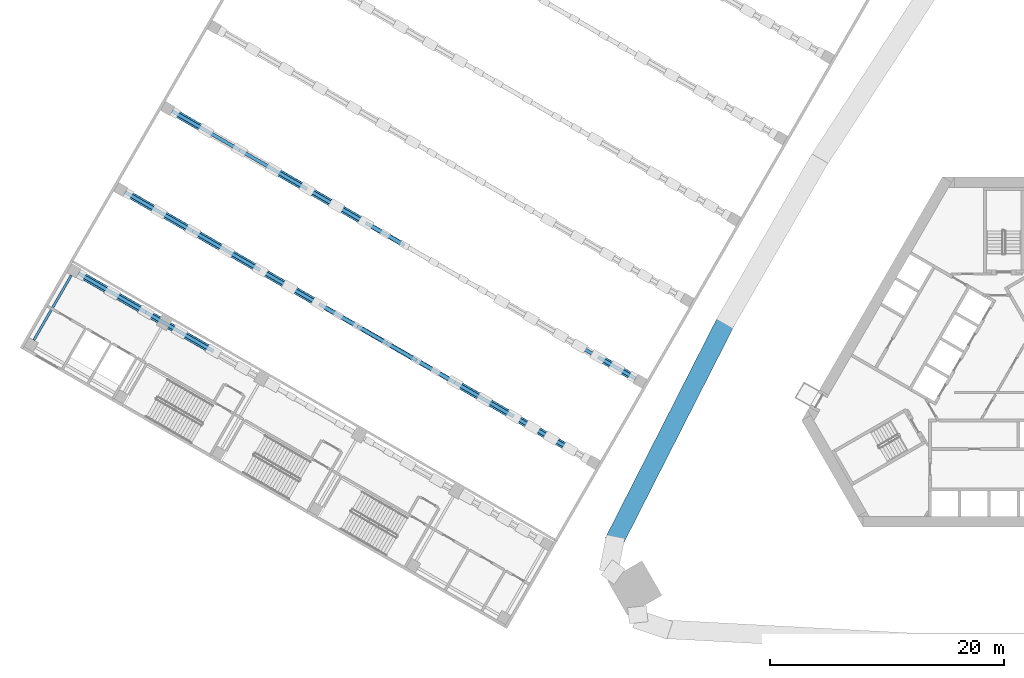
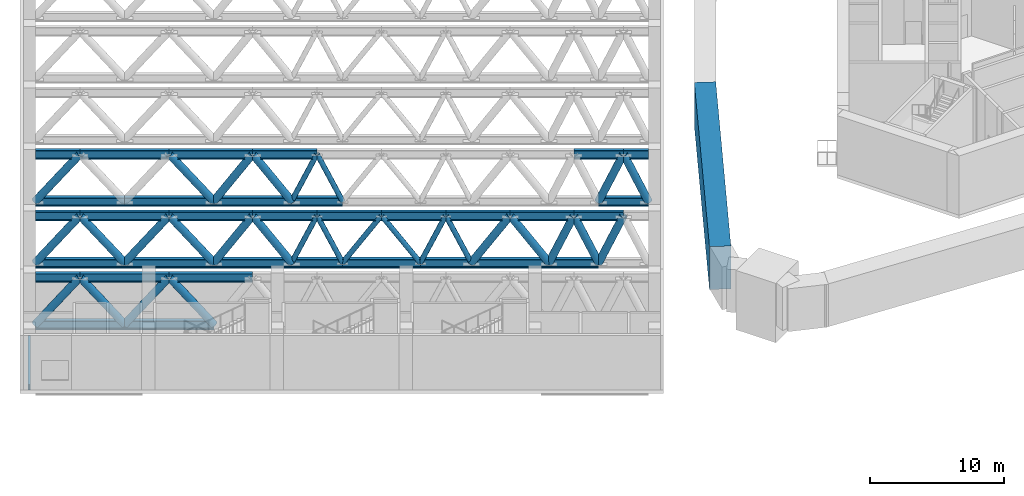
# One storey, part 2 of 37: 62 members, 2 beams.
"""IFC4 building model written with IfcOpenShell, lengths in metres."""

from ifc_helpers import new_model, si_unit, direction, frame, origin, origin_2d, place, context, subcontext, project, spatial, rectangle, hollow_circle, i_section, extrude, material, material_profile, profile_set, type_object, element, save


model = new_model("IFC4")

# Units and contexts
model_context = context("Model", 3, precision=1e-05, world=origin(), true_north=direction((0.0, 1.0)))
body_context = subcontext(model_context, "Body", "Model", "MODEL_VIEW")
ifc_project = project(units=[si_unit("LENGTHUNIT", "METRE"), si_unit("AREAUNIT", "SQUARE_METRE"), si_unit("VOLUMEUNIT", "CUBIC_METRE"), si_unit("PLANEANGLEUNIT", "RADIAN"), si_unit("MASSUNIT", "GRAM", prefix="KILO")], contexts=[model_context])

# Site, building, storey
site_placement = place(None, origin())
site = spatial("IfcSite", under=ifc_project, at=site_placement, CompositionType="ELEMENT")
building_placement = place(site_placement, origin())
building = spatial("IfcBuilding", under=site, at=building_placement, Name="Mestral Congress Tower", CompositionType="ELEMENT")
storey_placement = place(building_placement, frame((0.0, 0.0, 16.199951171875)))
storey = spatial("IfcBuildingStorey", under=building, at=storey_placement, Name="L03", CompositionType="ELEMENT", Elevation=16.199951171875)

# Beams
ifc_material_1 = material(Name="Steel S355", Category="steel")
ifc_material_profile_1 = material_profile(ifc_material_1, i_section(OverallWidth=0.199951171875, OverallDepth=0.5, WebThickness=0.01025390625, FlangeThickness=0.01611328125, FilletRadius=0.02099609375, at=origin_2d()), Name="IPE 500")
ifc_profile_set_1 = profile_set([ifc_material_profile_1], Name="Steel S355")
beam_type_1 = type_object("IfcBeamType", Name="Floor beam IPE 500 S355", PredefinedType="BEAM", material=ifc_profile_set_1)
beam_1_placement = place(storey_placement, frame((-79.642333984375, 8.511474609375, -0.550048828125), z_axis=(-0.499999833739, -0.866025499775, 0.0), x_axis=(0.866025499775, -0.499999833739, 0.0)))
element("IfcBeam", 1, at=beam_1_placement, inside=storey, type_object=beam_type_1, Name="BM-L03-W-U10F", PredefinedType="BEAM", context=body_context, shape_type="SweptSolid", body=[
    extrude(i_section(OverallWidth=0.199951171875, OverallDepth=0.5, WebThickness=0.01025390625, FlangeThickness=0.01611328125, FilletRadius=0.02099609375, at=origin_2d()), origin(), (0.0, 0.0, 1.0), 6.39990234375),
])
ifc_material_2 = material(Name="Concrete C70/85", Category="concrete")
ifc_material_profile_2 = material_profile(ifc_material_2, rectangle(XDim=1.60009765625, YDim=3.89990234375, at=origin_2d()), Name="RC 1600x3900")
ifc_profile_set_2 = profile_set([ifc_material_profile_2], Name="Concrete C70/85")
beam_type_2 = type_object("IfcBeamType", Name="Transfer girder RC 1600x3900 C70/85", PredefinedType="BEAM", material=ifc_profile_set_2)
beam_2_placement = place(storey_placement, frame((-23.614501953125, 4.80078125, 3.449951171875), z_axis=(-0.453414467885, -0.891299792613, 0.0), x_axis=(0.891299792613, -0.453414467885, 0.0)))
element("IfcBeam", 2, at=beam_2_placement, inside=storey, type_object=beam_type_2, Name="BM-TG09", PredefinedType="BEAM", context=body_context, shape_type="SweptSolid", body=[
    extrude(rectangle(XDim=1.60009765625, YDim=3.89990234375, at=origin_2d()), origin(), (0.0, 0.0, 1.0), 21.39697265625),
])

# Members
ifc_material_profile_3 = material_profile(ifc_material_1, i_section(OverallWidth=0.300048828125, OverallDepth=0.800048828125, WebThickness=0.017578125, FlangeThickness=0.032958984375, FilletRadius=0.030029296875, at=origin_2d()), Name="HEB 800")
ifc_profile_set_3 = profile_set([ifc_material_profile_3], Name="Steel S355")
member_type_1 = type_object("IfcMemberType", Name="Truss chord HEB 800 S355", PredefinedType="CHORD", material=ifc_profile_set_3)
member_1_placement = place(storey_placement, frame((-31.4501953125, -0.3173828125, 0.400146484375), z_axis=(-0.86601746898, 0.500013743233, 0.0), x_axis=(-0.500013743233, -0.86601746898, 0.0)))
element("IfcMember", 3, at=member_1_placement, inside=storey, type_object=member_type_1, Name="MB-W-T7-BC01", PredefinedType="CHORD", context=body_context, shape_type="SweptSolid", body=[
    extrude(i_section(OverallWidth=0.300048828125, OverallDepth=0.800048828125, WebThickness=0.017578125, FlangeThickness=0.032958984375, FilletRadius=0.030029296875, at=origin_2d()), origin(), (0.0, 0.0, 1.0), 3.7001953125),
])
member_2_placement = place(storey_placement, frame((-51.195556640625, 11.08251953125, 0.400146484375), z_axis=(-0.86601654697, 0.500015340139, 0.0), x_axis=(-0.500015340139, -0.86601654697, 0.0)))
element("IfcMember", 4, at=member_2_placement, inside=storey, type_object=member_type_1, Name="MB-W-T7-BC06", PredefinedType="CHORD", context=body_context, shape_type="SweptSolid", body=[
    extrude(i_section(OverallWidth=0.300048828125, OverallDepth=0.800048828125, WebThickness=0.017578125, FlangeThickness=0.032958984375, FilletRadius=0.030029296875, at=origin_2d()), origin(), (0.0, 0.0, 1.0), 3.80029296875),
])
member_3_placement = place(storey_placement, frame((-54.486572265625, 12.982666015625, 0.400146484375), z_axis=(-0.866032775405, 0.499987231761, 0.0), x_axis=(-0.499987231761, -0.866032775405, 0.0)))
element("IfcMember", 5, at=member_3_placement, inside=storey, type_object=member_type_1, Name="MB-W-T7-BC07", PredefinedType="CHORD", context=body_context, shape_type="SweptSolid", body=[
    extrude(i_section(OverallWidth=0.300048828125, OverallDepth=0.800048828125, WebThickness=0.017578125, FlangeThickness=0.032958984375, FilletRadius=0.030029296875, at=origin_2d()), origin(), (0.0, 0.0, 1.0), 5.800048828125),
])
member_4_placement = place(storey_placement, frame((-59.509521484375, 15.882568359375, 0.400146484375), z_axis=(-0.866027239912, 0.49999681972, 0.0), x_axis=(-0.49999681972, -0.866027239912, 0.0)))
element("IfcMember", 6, at=member_4_placement, inside=storey, type_object=member_type_1, Name="MB-W-T7-BC08", PredefinedType="CHORD", context=body_context, shape_type="SweptSolid", body=[
    extrude(i_section(OverallWidth=0.300048828125, OverallDepth=0.800048828125, WebThickness=0.017578125, FlangeThickness=0.032958984375, FilletRadius=0.030029296875, at=origin_2d()), origin(), (0.0, 0.0, 1.0), 6.64990234375),
])
member_5_placement = place(storey_placement, frame((-65.2685546875, 19.20751953125, 0.400146484375), z_axis=(-0.86601134256, 0.500024353964, 0.0), x_axis=(-0.500024353964, -0.86601134256, 0.0)))
element("IfcMember", 7, at=member_5_placement, inside=storey, type_object=member_type_1, Name="MB-W-T7-BC09", PredefinedType="CHORD", context=body_context, shape_type="SweptSolid", body=[
    extrude(i_section(OverallWidth=0.300048828125, OverallDepth=0.800048828125, WebThickness=0.017578125, FlangeThickness=0.032958984375, FilletRadius=0.030029296875, at=origin_2d()), origin(), (0.0, 0.0, 1.0), 6.650146484375),
])
member_6_placement = place(storey_placement, frame((-31.4501953125, -0.3173828125, 4.699951171875), z_axis=(-0.866033964044, 0.499985172903, 0.0), x_axis=(-0.499985172903, -0.866033964044, 0.0)))
element("IfcMember", 8, at=member_6_placement, inside=storey, type_object=member_type_1, Name="MB-W-T7-TC01", PredefinedType="CHORD", context=body_context, shape_type="SweptSolid", body=[
    extrude(i_section(OverallWidth=0.300048828125, OverallDepth=0.800048828125, WebThickness=0.017578125, FlangeThickness=0.032958984375, FilletRadius=0.030029296875, at=origin_2d()), origin(), (0.0, 0.0, 1.0), 1.85009765625),
])
member_7_placement = place(storey_placement, frame((-33.052490234375, 0.607666015625, 4.699951171875), z_axis=(-0.866029545028, 0.499992827086, 0.0), x_axis=(-0.499992827086, -0.866029545028, 0.0)))
element("IfcMember", 9, at=member_7_placement, inside=storey, type_object=member_type_1, Name="MB-W-T7-TC02", PredefinedType="CHORD", context=body_context, shape_type="SweptSolid", body=[
    extrude(i_section(OverallWidth=0.300048828125, OverallDepth=0.800048828125, WebThickness=0.017578125, FlangeThickness=0.032958984375, FilletRadius=0.030029296875, at=origin_2d()), origin(), (0.0, 0.0, 1.0), 3.69970703125),
])
member_8_placement = place(storey_placement, frame((-52.841064453125, 12.03271484375, 4.699951171875), z_axis=(-0.866037363387, 0.499979284789, 0.0), x_axis=(-0.499979284789, -0.866037363387, 0.0)))
element("IfcMember", 10, at=member_8_placement, inside=storey, type_object=member_type_1, Name="MB-W-T7-TC07", PredefinedType="CHORD", context=body_context, shape_type="SweptSolid", body=[
    extrude(i_section(OverallWidth=0.300048828125, OverallDepth=0.800048828125, WebThickness=0.017578125, FlangeThickness=0.032958984375, FilletRadius=0.030029296875, at=origin_2d()), origin(), (0.0, 0.0, 1.0), 4.800048828125),
])
member_9_placement = place(storey_placement, frame((-56.998046875, 14.4326171875, 4.699951171875), z_axis=(-0.866016424762, 0.5000155518, 0.0), x_axis=(-0.5000155518, -0.866016424762, 0.0)))
element("IfcMember", 11, at=member_9_placement, inside=storey, type_object=member_type_1, Name="MB-W-T7-TC08", PredefinedType="CHORD", context=body_context, shape_type="SweptSolid", body=[
    extrude(i_section(OverallWidth=0.300048828125, OverallDepth=0.800048828125, WebThickness=0.017578125, FlangeThickness=0.032958984375, FilletRadius=0.030029296875, at=origin_2d()), origin(), (0.0, 0.0, 1.0), 6.224853515625),
])
member_10_placement = place(storey_placement, frame((-62.388916015625, 17.545166015625, 4.699951171875), z_axis=(-0.866036417653, 0.499980922934, 0.0), x_axis=(-0.499980922934, -0.866036417653, 0.0)))
element("IfcMember", 12, at=member_10_placement, inside=storey, type_object=member_type_1, Name="MB-W-T7-TC09", PredefinedType="CHORD", context=body_context, shape_type="SweptSolid", body=[
    extrude(i_section(OverallWidth=0.300048828125, OverallDepth=0.800048828125, WebThickness=0.017578125, FlangeThickness=0.032958984375, FilletRadius=0.030029296875, at=origin_2d()), origin(), (0.0, 0.0, 1.0), 6.650146484375),
])
member_11_placement = place(storey_placement, frame((-68.148193359375, 20.8701171875, 4.699951171875), z_axis=(-0.866002163101, 0.500040251884, 0.0), x_axis=(-0.500040251884, -0.866002163101, 0.0)))
element("IfcMember", 13, at=member_11_placement, inside=storey, type_object=member_type_1, Name="MB-W-T7-TC10", PredefinedType="CHORD", context=body_context, shape_type="SweptSolid", body=[
    extrude(i_section(OverallWidth=0.300048828125, OverallDepth=0.800048828125, WebThickness=0.017578125, FlangeThickness=0.032958984375, FilletRadius=0.030029296875, at=origin_2d()), origin(), (0.0, 0.0, 1.0), 3.324951171875),
])
member_12_placement = place(storey_placement, frame((-38.654541015625, -5.3955078125, 0.400146484375), z_axis=(-0.866046040199, 0.499964254978, 0.0), x_axis=(-0.499964254978, -0.866046040199, 0.0)))
element("IfcMember", 14, at=member_12_placement, inside=storey, type_object=member_type_1, Name="MB-W-T8-BC02", PredefinedType="CHORD", context=body_context, shape_type="SweptSolid", body=[
    extrude(i_section(OverallWidth=0.300048828125, OverallDepth=0.800048828125, WebThickness=0.017578125, FlangeThickness=0.032958984375, FilletRadius=0.030029296875, at=origin_2d()), origin(), (0.0, 0.0, 1.0), 3.699951171875),
])
member_13_placement = place(storey_placement, frame((-41.85888671875, -3.545654296875, 0.400146484375), z_axis=(-0.86601454848, 0.500018801468, 0.0), x_axis=(-0.500018801468, -0.86601454848, 0.0)))
element("IfcMember", 15, at=member_13_placement, inside=storey, type_object=member_type_1, Name="MB-W-T8-BC03", PredefinedType="CHORD", context=body_context, shape_type="SweptSolid", body=[
    extrude(i_section(OverallWidth=0.300048828125, OverallDepth=0.800048828125, WebThickness=0.017578125, FlangeThickness=0.032958984375, FilletRadius=0.030029296875, at=origin_2d()), origin(), (0.0, 0.0, 1.0), 5.800048828125),
])
member_14_placement = place(storey_placement, frame((-46.8818359375, -0.6455078125, 0.400146484375), z_axis=(-0.866028304915, 0.499994975061, 0.0), x_axis=(-0.499994975061, -0.866028304915, 0.0)))
element("IfcMember", 16, at=member_14_placement, inside=storey, type_object=member_type_1, Name="MB-W-T8-BC04", PredefinedType="CHORD", context=body_context, shape_type="SweptSolid", body=[
    extrude(i_section(OverallWidth=0.300048828125, OverallDepth=0.800048828125, WebThickness=0.017578125, FlangeThickness=0.032958984375, FilletRadius=0.030029296875, at=origin_2d()), origin(), (0.0, 0.0, 1.0), 3.7998046875),
])
member_15_placement = place(storey_placement, frame((-50.172607421875, 1.25439453125, 0.400146484375), z_axis=(-0.866032775405, 0.499987231761, 0.0), x_axis=(-0.499987231761, -0.866032775405, 0.0)))
element("IfcMember", 17, at=member_15_placement, inside=storey, type_object=member_type_1, Name="MB-W-T8-BC05", PredefinedType="CHORD", context=body_context, shape_type="SweptSolid", body=[
    extrude(i_section(OverallWidth=0.300048828125, OverallDepth=0.800048828125, WebThickness=0.017578125, FlangeThickness=0.032958984375, FilletRadius=0.030029296875, at=origin_2d()), origin(), (0.0, 0.0, 1.0), 5.800048828125),
])
member_16_placement = place(storey_placement, frame((-55.195556640625, 4.154296875, 0.400146484375), z_axis=(-0.86601654697, 0.500015340139, 0.0), x_axis=(-0.500015340139, -0.86601654697, 0.0)))
element("IfcMember", 18, at=member_16_placement, inside=storey, type_object=member_type_1, Name="MB-W-T8-BC06", PredefinedType="CHORD", context=body_context, shape_type="SweptSolid", body=[
    extrude(i_section(OverallWidth=0.300048828125, OverallDepth=0.800048828125, WebThickness=0.017578125, FlangeThickness=0.032958984375, FilletRadius=0.030029296875, at=origin_2d()), origin(), (0.0, 0.0, 1.0), 3.80029296875),
])
member_17_placement = place(storey_placement, frame((-58.486572265625, 6.054443359375, 0.400146484375), z_axis=(-0.866032775405, 0.499987231761, 0.0), x_axis=(-0.499987231761, -0.866032775405, 0.0)))
element("IfcMember", 19, at=member_17_placement, inside=storey, type_object=member_type_1, Name="MB-W-T8-BC07", PredefinedType="CHORD", context=body_context, shape_type="SweptSolid", body=[
    extrude(i_section(OverallWidth=0.300048828125, OverallDepth=0.800048828125, WebThickness=0.017578125, FlangeThickness=0.032958984375, FilletRadius=0.030029296875, at=origin_2d()), origin(), (0.0, 0.0, 1.0), 5.800048828125),
])
member_18_placement = place(storey_placement, frame((-63.509521484375, 8.954345703125, 0.400146484375), z_axis=(-0.866027239912, 0.49999681972, 0.0), x_axis=(-0.49999681972, -0.866027239912, 0.0)))
element("IfcMember", 20, at=member_18_placement, inside=storey, type_object=member_type_1, Name="MB-W-T8-BC08", PredefinedType="CHORD", context=body_context, shape_type="SweptSolid", body=[
    extrude(i_section(OverallWidth=0.300048828125, OverallDepth=0.800048828125, WebThickness=0.017578125, FlangeThickness=0.032958984375, FilletRadius=0.030029296875, at=origin_2d()), origin(), (0.0, 0.0, 1.0), 6.64990234375),
])
member_19_placement = place(storey_placement, frame((-69.2685546875, 12.279296875, 0.400146484375), z_axis=(-0.86601134256, 0.500024353964, 0.0), x_axis=(-0.500024353964, -0.86601134256, 0.0)))
element("IfcMember", 21, at=member_19_placement, inside=storey, type_object=member_type_1, Name="MB-W-T8-BC09", PredefinedType="CHORD", context=body_context, shape_type="SweptSolid", body=[
    extrude(i_section(OverallWidth=0.300048828125, OverallDepth=0.800048828125, WebThickness=0.017578125, FlangeThickness=0.032958984375, FilletRadius=0.030029296875, at=origin_2d()), origin(), (0.0, 0.0, 1.0), 6.650146484375),
])
member_20_placement = place(storey_placement, frame((-37.052490234375, -6.320556640625, 4.699951171875), z_axis=(-0.866029545028, 0.499992827086, 0.0), x_axis=(-0.499992827086, -0.866029545028, 0.0)))
element("IfcMember", 22, at=member_20_placement, inside=storey, type_object=member_type_1, Name="MB-W-T8-TC02", PredefinedType="CHORD", context=body_context, shape_type="SweptSolid", body=[
    extrude(i_section(OverallWidth=0.300048828125, OverallDepth=0.800048828125, WebThickness=0.017578125, FlangeThickness=0.032958984375, FilletRadius=0.030029296875, at=origin_2d()), origin(), (0.0, 0.0, 1.0), 3.69970703125),
])
member_21_placement = place(storey_placement, frame((-40.256591796875, -4.470703125, 4.699951171875), z_axis=(-0.866033238375, 0.499986429846, 0.0), x_axis=(-0.499986429846, -0.866033238375, 0.0)))
element("IfcMember", 23, at=member_21_placement, inside=storey, type_object=member_type_1, Name="MB-W-T8-TC03", PredefinedType="CHORD", context=body_context, shape_type="SweptSolid", body=[
    extrude(i_section(OverallWidth=0.300048828125, OverallDepth=0.800048828125, WebThickness=0.017578125, FlangeThickness=0.032958984375, FilletRadius=0.030029296875, at=origin_2d()), origin(), (0.0, 0.0, 1.0), 4.750244140625),
])
member_22_placement = place(storey_placement, frame((-44.370361328125, -2.095703125, 4.699951171875), z_axis=(-0.866002622515, 0.50003945624, 0.0), x_axis=(-0.50003945624, -0.866002622515, 0.0)))
element("IfcMember", 24, at=member_22_placement, inside=storey, type_object=member_type_1, Name="MB-W-T8-TC04", PredefinedType="CHORD", context=body_context, shape_type="SweptSolid", body=[
    extrude(i_section(OverallWidth=0.300048828125, OverallDepth=0.800048828125, WebThickness=0.017578125, FlangeThickness=0.032958984375, FilletRadius=0.030029296875, at=origin_2d()), origin(), (0.0, 0.0, 1.0), 4.7998046875),
])
for number, where, z_axis, x_axis, name in (
    (25, (-48.527099609375, 0.304443359375, 4.699951171875), (-0.866037363387, 0.499979284789, 0.0), (-0.499979284789, -0.866037363387, 0.0), "MB-W-T8-TC05"),
    (26, (-52.68408203125, 2.704345703125, 4.699951171875), (-0.866015339567, 0.500017431331, 0.0), (-0.500017431331, -0.866015339567, 0.0), "MB-W-T8-TC06"),
    (27, (-56.841064453125, 5.1044921875, 4.699951171875), (-0.866037363387, 0.499979284789, 0.0), (-0.499979284789, -0.866037363387, 0.0), "MB-W-T8-TC07"),
):
    element("IfcMember", number, at=place(storey_placement, frame(where, z_axis=z_axis, x_axis=x_axis)), inside=storey, type_object=member_type_1, Name=name, PredefinedType="CHORD", context=body_context, shape_type="SweptSolid", body=[
        extrude(i_section(OverallWidth=0.300048828125, OverallDepth=0.800048828125, WebThickness=0.017578125, FlangeThickness=0.032958984375, FilletRadius=0.030029296875, at=origin_2d()), origin(), (0.0, 0.0, 1.0), 4.800048828125),
    ])
member_23_placement = place(storey_placement, frame((-60.998046875, 7.50439453125, 4.699951171875), z_axis=(-0.866016424762, 0.5000155518, 0.0), x_axis=(-0.5000155518, -0.866016424762, 0.0)))
element("IfcMember", 28, at=member_23_placement, inside=storey, type_object=member_type_1, Name="MB-W-T8-TC08", PredefinedType="CHORD", context=body_context, shape_type="SweptSolid", body=[
    extrude(i_section(OverallWidth=0.300048828125, OverallDepth=0.800048828125, WebThickness=0.017578125, FlangeThickness=0.032958984375, FilletRadius=0.030029296875, at=origin_2d()), origin(), (0.0, 0.0, 1.0), 6.224853515625),
])
member_24_placement = place(storey_placement, frame((-66.388916015625, 10.616943359375, 4.699951171875), z_axis=(-0.866036417653, 0.499980922934, 0.0), x_axis=(-0.499980922934, -0.866036417653, 0.0)))
element("IfcMember", 29, at=member_24_placement, inside=storey, type_object=member_type_1, Name="MB-W-T8-TC09", PredefinedType="CHORD", context=body_context, shape_type="SweptSolid", body=[
    extrude(i_section(OverallWidth=0.300048828125, OverallDepth=0.800048828125, WebThickness=0.017578125, FlangeThickness=0.032958984375, FilletRadius=0.030029296875, at=origin_2d()), origin(), (0.0, 0.0, 1.0), 6.650146484375),
])
member_25_placement = place(storey_placement, frame((-72.148193359375, 13.94189453125, 4.699951171875), z_axis=(-0.866002163101, 0.500040251884, 0.0), x_axis=(-0.500040251884, -0.866002163101, 0.0)))
element("IfcMember", 30, at=member_25_placement, inside=storey, type_object=member_type_1, Name="MB-W-T8-TC10", PredefinedType="CHORD", context=body_context, shape_type="SweptSolid", body=[
    extrude(i_section(OverallWidth=0.300048828125, OverallDepth=0.800048828125, WebThickness=0.017578125, FlangeThickness=0.032958984375, FilletRadius=0.030029296875, at=origin_2d()), origin(), (0.0, 0.0, 1.0), 3.324951171875),
])
member_26_placement = place(storey_placement, frame((-67.509521484375, 2.026123046875, 0.400146484375), z_axis=(-0.86601134256, 0.500024353964, 0.0), x_axis=(-0.500024353964, -0.86601134256, 0.0)))
element("IfcMember", 31, at=member_26_placement, inside=storey, type_object=member_type_1, Name="MB-W-T9-BC08", PredefinedType="CHORD", context=body_context, shape_type="SweptSolid", body=[
    extrude(i_section(OverallWidth=0.300048828125, OverallDepth=0.800048828125, WebThickness=0.017578125, FlangeThickness=0.032958984375, FilletRadius=0.030029296875, at=origin_2d()), origin(), (0.0, 0.0, 1.0), 6.650146484375),
])
member_27_placement = place(storey_placement, frame((-73.2685546875, 5.351318359375, 0.400146484375), z_axis=(-0.866027239912, 0.49999681972, 0.0), x_axis=(-0.49999681972, -0.866027239912, 0.0)))
element("IfcMember", 32, at=member_27_placement, inside=storey, type_object=member_type_1, Name="MB-W-T9-BC09", PredefinedType="CHORD", context=body_context, shape_type="SweptSolid", body=[
    extrude(i_section(OverallWidth=0.300048828125, OverallDepth=0.800048828125, WebThickness=0.017578125, FlangeThickness=0.032958984375, FilletRadius=0.030029296875, at=origin_2d()), origin(), (0.0, 0.0, 1.0), 6.64990234375),
])
member_28_placement = place(storey_placement, frame((-64.998046875, 0.576171875, 4.699951171875), z_axis=(-0.866016424762, 0.5000155518, 0.0), x_axis=(-0.5000155518, -0.866016424762, 0.0)))
element("IfcMember", 33, at=member_28_placement, inside=storey, type_object=member_type_1, Name="MB-W-T9-TC08", PredefinedType="CHORD", context=body_context, shape_type="SweptSolid", body=[
    extrude(i_section(OverallWidth=0.300048828125, OverallDepth=0.800048828125, WebThickness=0.017578125, FlangeThickness=0.032958984375, FilletRadius=0.030029296875, at=origin_2d()), origin(), (0.0, 0.0, 1.0), 6.224853515625),
])
member_29_placement = place(storey_placement, frame((-70.388916015625, 3.688720703125, 4.699951171875), z_axis=(-0.866036417653, 0.499980922934, 0.0), x_axis=(-0.499980922934, -0.866036417653, 0.0)))
element("IfcMember", 34, at=member_29_placement, inside=storey, type_object=member_type_1, Name="MB-W-T9-TC09", PredefinedType="CHORD", context=body_context, shape_type="SweptSolid", body=[
    extrude(i_section(OverallWidth=0.300048828125, OverallDepth=0.800048828125, WebThickness=0.017578125, FlangeThickness=0.032958984375, FilletRadius=0.030029296875, at=origin_2d()), origin(), (0.0, 0.0, 1.0), 6.650146484375),
])
member_30_placement = place(storey_placement, frame((-76.148193359375, 7.013671875, 4.699951171875), z_axis=(-0.866002163101, 0.500040251884, 0.0), x_axis=(-0.500040251884, -0.866002163101, 0.0)))
element("IfcMember", 35, at=member_30_placement, inside=storey, type_object=member_type_1, Name="MB-W-T9-TC10", PredefinedType="CHORD", context=body_context, shape_type="SweptSolid", body=[
    extrude(i_section(OverallWidth=0.300048828125, OverallDepth=0.800048828125, WebThickness=0.017578125, FlangeThickness=0.032958984375, FilletRadius=0.030029296875, at=origin_2d()), origin(), (0.0, 0.0, 1.0), 3.324951171875),
])
ifc_material_profile_4 = material_profile(ifc_material_1, hollow_circle(Radius=0.203125, WallThickness=0.01611328125, at=origin_2d()), Name="CHS 406.4x16")
ifc_profile_set_4 = profile_set([ifc_material_profile_4], Name="Steel S355")
member_type_2 = type_object("IfcMemberType", Name="Truss diagonal CHS 406.4x16 S355", PredefinedType="BRACE", material=ifc_profile_set_4)
for number, where, z_axis, x_axis, name in (
    (36, (-51.195556640625, 11.08251953125, 0.400146484375), (-0.35003763718, 0.202128558443, 0.914668081011), (-0.500063520245, -0.865988727248, 0.0), "MB-W-T7-D11"),
    (37, (-52.841064453125, 12.03271484375, 4.699951171875), (-0.350041311257, 0.202078745119, -0.914677681582), (-0.499967155389, -0.866044365799, 0.0), "MB-W-T7-D12"),
    (38, (-46.8818359375, -0.6455078125, 0.400146484375), (-0.349995738631, 0.20208241861, 0.914694309061), (-0.500022797313, -0.86601224135, 0.0), "MB-W-T8-D07"),
    (39, (-48.527099609375, 0.304443359375, 4.699951171875), (-0.350041311257, 0.202078745119, -0.914677681582), (-0.499967155389, -0.866044365799, 0.0), "MB-W-T8-D08"),
):
    element("IfcMember", number, at=place(storey_placement, frame(where, z_axis=z_axis, x_axis=x_axis)), inside=storey, type_object=member_type_2, Name=name, PredefinedType="BRACE", context=body_context, shape_type="SweptSolid", body=[
        extrude(hollow_circle(Radius=0.203125, WallThickness=0.01611328125, at=origin_2d()), origin(), (0.0, 0.0, 1.0), 4.700927734375),
    ])
for number, where, z_axis, x_axis, name in (
    (40, (-50.172607421875, 1.25439453125, 0.400146484375), (-0.484247420666, 0.279570859467, 0.829062464544), (-0.499987231761, -0.866032775405, 0.0), "MB-W-T8-D09"),
    (41, (-52.68408203125, 2.704345703125, 4.699951171875), (-0.484247420666, 0.279570859467, -0.829062464544), (-0.499987231761, -0.866032775405, 0.0), "MB-W-T8-D10"),
):
    element("IfcMember", number, at=place(storey_placement, frame(where, z_axis=z_axis, x_axis=x_axis)), inside=storey, type_object=member_type_2, Name=name, PredefinedType="BRACE", context=body_context, shape_type="SweptSolid", body=[
        extrude(hollow_circle(Radius=0.203125, WallThickness=0.01611328125, at=origin_2d()), origin(), (0.0, 0.0, 1.0), 5.186279296875),
    ])
for number, where, z_axis, x_axis, name in (
    (42, (-55.195556640625, 4.154296875, 0.400146484375), (-0.35003763718, 0.202128558443, 0.914668081011), (-0.500063520245, -0.865988727248, 0.0), "MB-W-T8-D11"),
    (43, (-56.841064453125, 5.1044921875, 4.699951171875), (-0.350041311257, 0.202078745119, -0.914677681582), (-0.499967155389, -0.866044365799, 0.0), "MB-W-T8-D12"),
):
    element("IfcMember", number, at=place(storey_placement, frame(where, z_axis=z_axis, x_axis=x_axis)), inside=storey, type_object=member_type_2, Name=name, PredefinedType="BRACE", context=body_context, shape_type="SweptSolid", body=[
        extrude(hollow_circle(Radius=0.203125, WallThickness=0.01611328125, at=origin_2d()), origin(), (0.0, 0.0, 1.0), 4.700927734375),
    ])
ifc_material_profile_5 = material_profile(ifc_material_1, hollow_circle(Radius=0.304931640625, WallThickness=0.02490234375, at=origin_2d()), Name="CHS 610x25")
ifc_profile_set_5 = profile_set([ifc_material_profile_5], Name="Steel S355")
member_type_3 = type_object("IfcMemberType", Name="Truss diagonal CHS 610x25 S355", PredefinedType="BRACE", material=ifc_profile_set_5)
for number, where, z_axis, x_axis, name in (
    (44, (-31.4501953125, -0.3173828125, 0.400146484375), (-0.342300508531, 0.197619476889, 0.918573298226), (-0.499985172903, -0.866033964044, 0.0), "MB-W-T7-D01"),
    (45, (-33.052490234375, 0.607666015625, 4.699951171875), (-0.342254462306, 0.197623004828, -0.91858969676), (-0.500042316284, -0.866000971088, 0.0), "MB-W-T7-D02"),
):
    element("IfcMember", number, at=place(storey_placement, frame(where, z_axis=z_axis, x_axis=x_axis)), inside=storey, type_object=member_type_3, Name=name, PredefinedType="BRACE", context=body_context, shape_type="SweptSolid", body=[
        extrude(hollow_circle(Radius=0.304931640625, WallThickness=0.02490234375, at=origin_2d()), origin(), (0.0, 0.0, 1.0), 4.680908203125),
    ])
for number, where, z_axis, x_axis, name in (
    (46, (-54.486572265625, 12.982666015625, 0.400146484375), (-0.484247420666, 0.279570859467, 0.829062464544), (-0.499987231761, -0.866032775405, 0.0), "MB-W-T7-D13"),
    (47, (-56.998046875, 14.4326171875, 4.699951171875), (-0.484247420666, 0.279570859467, -0.829062464544), (-0.499987231761, -0.866032775405, 0.0), "MB-W-T7-D14"),
):
    element("IfcMember", number, at=place(storey_placement, frame(where, z_axis=z_axis, x_axis=x_axis)), inside=storey, type_object=member_type_3, Name=name, PredefinedType="BRACE", context=body_context, shape_type="SweptSolid", body=[
        extrude(hollow_circle(Radius=0.304931640625, WallThickness=0.02490234375, at=origin_2d()), origin(), (0.0, 0.0, 1.0), 5.186279296875),
    ])
for number, where, z_axis, x_axis, name in (
    (48, (-59.509521484375, 15.882568359375, 0.400146484375), (-0.529749391364, 0.305883784567, 0.791075655477), (-0.500040251884, -0.866002163101, 0.0), "MB-W-T7-D15"),
    (49, (-68.148193359375, 20.8701171875, 4.699951171875), (-0.529749391364, 0.305883784567, -0.791075655477), (-0.500040251884, -0.866002163101, 0.0), "MB-W-T7-D18"),
):
    element("IfcMember", number, at=place(storey_placement, frame(where, z_axis=z_axis, x_axis=x_axis)), inside=storey, type_object=member_type_3, Name=name, PredefinedType="BRACE", context=body_context, shape_type="SweptSolid", body=[
        extrude(hollow_circle(Radius=0.304931640625, WallThickness=0.02490234375, at=origin_2d()), origin(), (0.0, 0.0, 1.0), 5.435302734375),
    ])
for number, where, z_axis, x_axis, name in (
    (50, (-37.052490234375, -6.320556640625, 4.699951171875), (-0.342254462306, 0.197623004828, -0.91858969676), (-0.500042316284, -0.866000971088, 0.0), "MB-W-T8-D02"),
    (51, (-38.654541015625, -5.3955078125, 0.400146484375), (-0.342257989659, 0.197572884003, 0.918599163956), (-0.49994333299, -0.866058118026, 0.0), "MB-W-T8-D03"),
    (52, (-40.256591796875, -4.470703125, 4.699951171875), (-0.342300508531, 0.197619476889, -0.918573298226), (-0.499985172903, -0.866033964044, 0.0), "MB-W-T8-D04"),
):
    element("IfcMember", number, at=place(storey_placement, frame(where, z_axis=z_axis, x_axis=x_axis)), inside=storey, type_object=member_type_3, Name=name, PredefinedType="BRACE", context=body_context, shape_type="SweptSolid", body=[
        extrude(hollow_circle(Radius=0.304931640625, WallThickness=0.02490234375, at=origin_2d()), origin(), (0.0, 0.0, 1.0), 4.680908203125),
    ])
member_31_placement = place(storey_placement, frame((-41.85888671875, -3.545654296875, 0.400146484375), z_axis=(-0.484247420666, 0.279570859467, 0.829062464544), x_axis=(-0.499987231761, -0.866032775405, 0.0)))
element("IfcMember", 53, at=member_31_placement, inside=storey, type_object=member_type_3, Name="MB-W-T8-D05", PredefinedType="BRACE", context=body_context, shape_type="SweptSolid", body=[
    extrude(hollow_circle(Radius=0.304931640625, WallThickness=0.02490234375, at=origin_2d()), origin(), (0.0, 0.0, 1.0), 5.186279296875),
])
member_32_placement = place(storey_placement, frame((-44.370361328125, -2.095703125, 4.699951171875), z_axis=(-0.484241047345, 0.27961425306, -0.829051553012), x_axis=(-0.50005036918, -0.865996321171, 0.0)))
element("IfcMember", 54, at=member_32_placement, inside=storey, type_object=member_type_3, Name="MB-W-T8-D06", PredefinedType="BRACE", context=body_context, shape_type="SweptSolid", body=[
    extrude(hollow_circle(Radius=0.304931640625, WallThickness=0.02490234375, at=origin_2d()), origin(), (0.0, 0.0, 1.0), 5.1865234375),
])
for number, where, z_axis, x_axis, name in (
    (55, (-58.486572265625, 6.054443359375, 0.400146484375), (-0.484247420666, 0.279570859467, 0.829062464544), (-0.499987231761, -0.866032775405, 0.0), "MB-W-T8-D13"),
    (56, (-60.998046875, 7.50439453125, 4.699951171875), (-0.484247420666, 0.279570859467, -0.829062464544), (-0.499987231761, -0.866032775405, 0.0), "MB-W-T8-D14"),
):
    element("IfcMember", number, at=place(storey_placement, frame(where, z_axis=z_axis, x_axis=x_axis)), inside=storey, type_object=member_type_3, Name=name, PredefinedType="BRACE", context=body_context, shape_type="SweptSolid", body=[
        extrude(hollow_circle(Radius=0.304931640625, WallThickness=0.02490234375, at=origin_2d()), origin(), (0.0, 0.0, 1.0), 5.186279296875),
    ])
member_33_placement = place(storey_placement, frame((-63.509521484375, 8.954345703125, 0.400146484375), z_axis=(-0.529749391364, 0.305883784567, 0.791075655477), x_axis=(-0.500040251884, -0.866002163101, 0.0)))
element("IfcMember", 57, at=member_33_placement, inside=storey, type_object=member_type_3, Name="MB-W-T8-D15", PredefinedType="BRACE", context=body_context, shape_type="SweptSolid", body=[
    extrude(hollow_circle(Radius=0.304931640625, WallThickness=0.02490234375, at=origin_2d()), origin(), (0.0, 0.0, 1.0), 5.435302734375),
])
for number, where, z_axis, x_axis, name in (
    (58, (-66.388916015625, 10.616943359375, 4.699951171875), (-0.529788979969, 0.305835791828, -0.791067699467), (-0.499953387465, -0.866052313871, 0.0), "MB-W-T8-D16"),
    (59, (-69.2685546875, 12.279296875, 0.400146484375), (-0.52978170185, 0.305876506113, 0.791056831961), (-0.500008456887, -0.866020521143, 0.0), "MB-W-T8-D17"),
):
    element("IfcMember", number, at=place(storey_placement, frame(where, z_axis=z_axis, x_axis=x_axis)), inside=storey, type_object=member_type_3, Name=name, PredefinedType="BRACE", context=body_context, shape_type="SweptSolid", body=[
        extrude(hollow_circle(Radius=0.304931640625, WallThickness=0.02490234375, at=origin_2d()), origin(), (0.0, 0.0, 1.0), 5.435546875),
    ])
for number, where, z_axis, x_axis, name in (
    (60, (-72.148193359375, 13.94189453125, 4.699951171875), (-0.529749391364, 0.305883784567, -0.791075655477), (-0.500040251884, -0.866002163101, 0.0), "MB-W-T8-D18"),
    (61, (-67.509521484375, 2.026123046875, 0.400146484375), (-0.529749391364, 0.305883784567, 0.791075655477), (-0.500040251884, -0.866002163101, 0.0), "MB-W-T9-D15"),
):
    element("IfcMember", number, at=place(storey_placement, frame(where, z_axis=z_axis, x_axis=x_axis)), inside=storey, type_object=member_type_3, Name=name, PredefinedType="BRACE", context=body_context, shape_type="SweptSolid", body=[
        extrude(hollow_circle(Radius=0.304931640625, WallThickness=0.02490234375, at=origin_2d()), origin(), (0.0, 0.0, 1.0), 5.435302734375),
    ])
for number, where, z_axis, x_axis, name in (
    (62, (-70.388916015625, 3.688720703125, 4.699951171875), (-0.52978170185, 0.305876506113, -0.791056831961), (-0.500008456887, -0.866020521143, 0.0), "MB-W-T9-D16"),
    (63, (-73.2685546875, 5.351318359375, 0.400146484375), (-0.529788979969, 0.305835791828, 0.791067699467), (-0.499953387465, -0.866052313871, 0.0), "MB-W-T9-D17"),
):
    element("IfcMember", number, at=place(storey_placement, frame(where, z_axis=z_axis, x_axis=x_axis)), inside=storey, type_object=member_type_3, Name=name, PredefinedType="BRACE", context=body_context, shape_type="SweptSolid", body=[
        extrude(hollow_circle(Radius=0.304931640625, WallThickness=0.02490234375, at=origin_2d()), origin(), (0.0, 0.0, 1.0), 5.435546875),
    ])
member_34_placement = place(storey_placement, frame((-76.148193359375, 7.013671875, 4.699951171875), z_axis=(-0.529749391364, 0.305883784567, -0.791075655477), x_axis=(-0.500040251884, -0.866002163101, 0.0)))
element("IfcMember", 64, at=member_34_placement, inside=storey, type_object=member_type_3, Name="MB-W-T9-D18", PredefinedType="BRACE", context=body_context, shape_type="SweptSolid", body=[
    extrude(hollow_circle(Radius=0.304931640625, WallThickness=0.02490234375, at=origin_2d()), origin(), (0.0, 0.0, 1.0), 5.435302734375),
])

save(model, "model.ifc")
